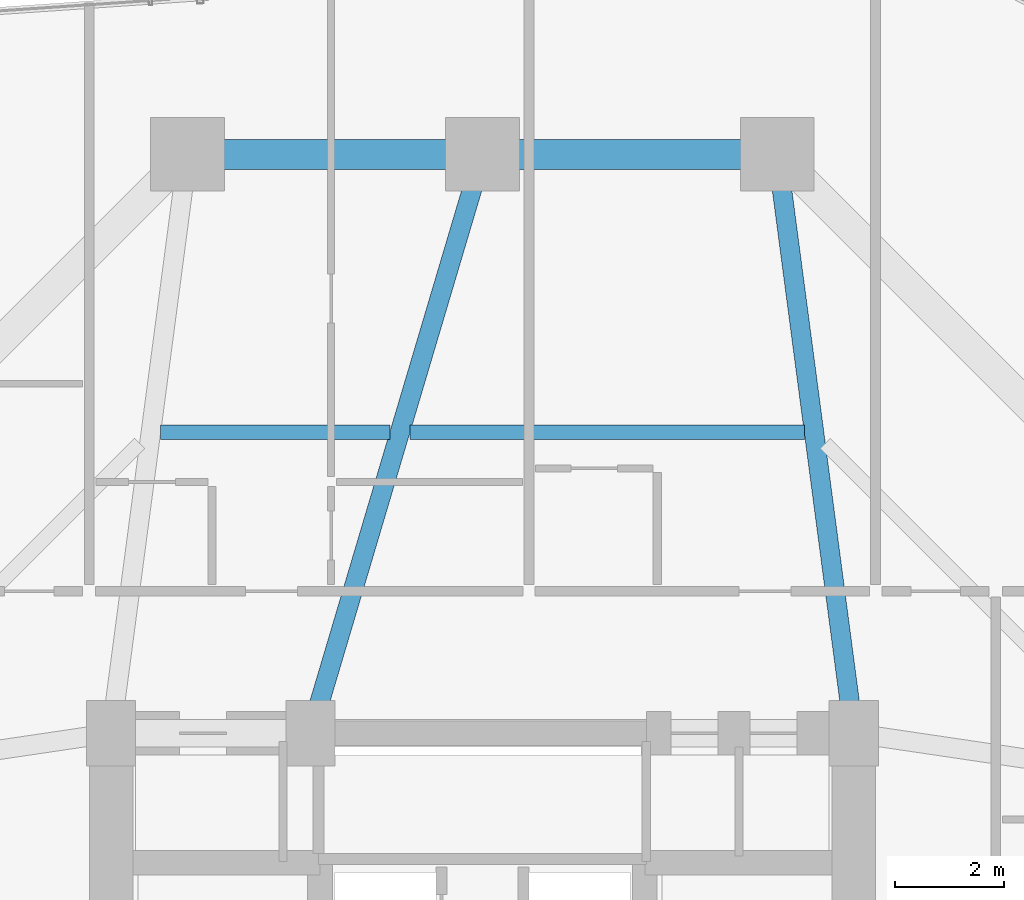
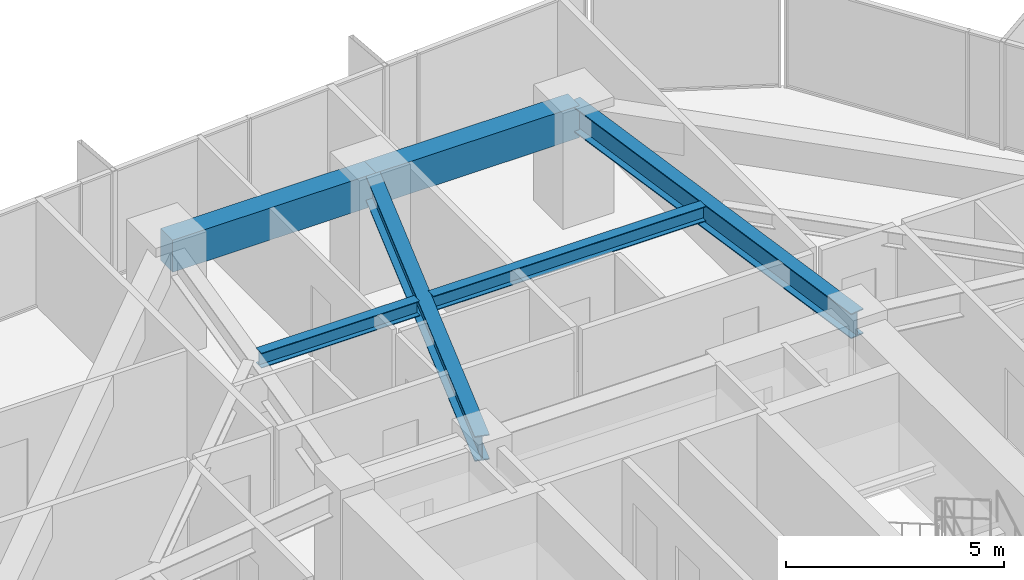
# One storey, part 24 of 37: 6 beams.
"""IFC4 building model written with IfcOpenShell, lengths in metres."""

import ifcopenshell
import ifcopenshell.guid

model = None  # the IFC model being written
_history = None  # IfcOwnerHistory: only IFC2X3 demands one
_inside = {}  # id of a spatial element -> (the spatial element, [elements in it])
_under = {}  # id of a project, library or spatial element -> (it, [spatial elements below it])
_declared = {}  # id of a project -> (the project, [libraries it declares])
_typed = {}  # id of a type object -> (the type object, [elements of that type])
_made_of = {}  # id of a material, layer set ... -> (it, [elements and type objects made of it])


def new_model(schema):
    """Start an empty IFC model of exactly this schema.

    Asked for "IFC4X3", IfcOpenShell would pick the latest addendum, in which some entities
    have other attributes; the version numbers below select the first issue.
    IFC2X3 requires an IfcOwnerHistory on every rooted entity: one is made here for all.
    """
    global model, _history
    if schema == "IFC4X3":
        model = ifcopenshell.file(schema_version=(4, 3, 0, 0))
    else:
        model = ifcopenshell.file(schema=schema)
    _inside.clear()
    _under.clear()
    _declared.clear()
    _typed.clear()
    _made_of.clear()
    _history = None
    if model.schema == "IFC2X3":
        org = make("IfcOrganization", Name="unknown")
        user = make(
            "IfcPersonAndOrganization",
            ThePerson=make("IfcPerson", FamilyName="unknown"),
            TheOrganization=org,
        )
        app = make(
            "IfcApplication",
            ApplicationDeveloper=org,
            Version="unknown",
            ApplicationFullName="unknown",
            ApplicationIdentifier="unknown",
        )
        _history = make(
            "IfcOwnerHistory",
            OwningUser=user,
            OwningApplication=app,
            ChangeAction="ADDED",
            CreationDate=0,
        )
    return model


def make(cls, **values):
    """One entity of the class cls with the attributes given. An attribute that is None is left unset."""
    return model.create_entity(
        cls, **{name: value for name, value in values.items() if value is not None}
    )


def rooted(cls, **values):
    """An entity with a GlobalId (a new one), such as an element, a storey or a relation."""
    return make(cls, GlobalId=ifcopenshell.guid.new(), OwnerHistory=_history, **values)


def si_unit(unit_type, name, prefix=None):
    """IfcSIUnit, for example si_unit("LENGTHUNIT", "METRE", prefix="MILLI")."""
    return make("IfcSIUnit", UnitType=unit_type, Prefix=prefix, Name=name)


def assignment(units):
    """IfcUnitAssignment: the units of a project."""
    return None if units is None else make("IfcUnitAssignment", Units=units)


def point(xyz):
    """IfcCartesianPoint."""
    return None if xyz is None else make("IfcCartesianPoint", Coordinates=xyz)


def direction(xyz):
    """IfcDirection."""
    return None if xyz is None else make("IfcDirection", DirectionRatios=xyz)


def frame(location, z_axis=None, x_axis=None):
    """IfcAxis2Placement3D, a coordinate frame: its origin and axes. An axis left out is left unset."""
    return make(
        "IfcAxis2Placement3D",
        Location=point(location),
        Axis=direction(z_axis),
        RefDirection=direction(x_axis),
    )


def frame_2d(location, x_axis=None):
    """IfcAxis2Placement2D, a coordinate frame in the plane: its origin and x axis."""
    return make(
        "IfcAxis2Placement2D", Location=point(location), RefDirection=direction(x_axis)
    )


def origin():
    """The frame at (0, 0, 0) with its axes left unset."""
    return frame((0.0, 0.0, 0.0))


def origin_2d():
    """The frame at (0, 0) in the plane with its x axis left unset."""
    return frame_2d((0.0, 0.0))


def place(relative_to, where):
    """IfcLocalPlacement: puts the frame where relative to a parent placement (None: the world)."""
    return make(
        "IfcLocalPlacement", PlacementRelTo=relative_to, RelativePlacement=where
    )


def context(
    kind, dimensions, precision=None, world=None, true_north=None, identifier=None
):
    """IfcGeometricRepresentationContext, for example the 3D "Model" context."""
    return make(
        "IfcGeometricRepresentationContext",
        ContextIdentifier=identifier,
        ContextType=kind,
        CoordinateSpaceDimension=dimensions,
        Precision=precision,
        WorldCoordinateSystem=world,
        TrueNorth=true_north,
    )


def subcontext(parent, identifier, kind, view, scale=None):
    """IfcGeometricRepresentationSubContext, for example "Body" below "Model"."""
    return make(
        "IfcGeometricRepresentationSubContext",
        ContextIdentifier=identifier,
        ContextType=kind,
        ParentContext=parent,
        TargetScale=scale,
        TargetView=view,
    )


def project(units=None, contexts=None):
    """IfcProject with its units and contexts."""
    return rooted(
        "IfcProject",
        Name="project",
        RepresentationContexts=contexts,
        UnitsInContext=assignment(units),
    )


def spatial(cls, under=None, at=None, **own):
    """A site, building, storey or space (cls), placed at a placement, below another one or the project."""
    s = rooted(cls, ObjectPlacement=at, **own)
    if under is not None:
        _under.setdefault(under.id(), (under, []))[1].append(s)
    return s


def profile(cls, at=None, kind="AREA", **sizes):
    """A parametric profile (cls). Its sizes go by their IFC names, for example OverallWidth=200.0."""
    return make(cls, ProfileType=kind, Position=at, **sizes)


def rectangle(**sizes):
    """IfcRectangleProfileDef."""
    return profile("IfcRectangleProfileDef", **sizes)


def i_section(**sizes):
    """IfcIShapeProfileDef."""
    return profile("IfcIShapeProfileDef", **sizes)


def extrude(swept, where, along, depth):
    """IfcExtrudedAreaSolid: the profile swept, set in the frame where, extruded along a direction by depth."""
    return make(
        "IfcExtrudedAreaSolid",
        SweptArea=swept,
        Position=where,
        ExtrudedDirection=direction(along),
        Depth=depth,
    )


def shape(context_of_items, identifier, shape_type, items):
    """IfcShapeRepresentation: the items that make up one representation, for example the "Body"."""
    return make(
        "IfcShapeRepresentation",
        ContextOfItems=context_of_items,
        RepresentationIdentifier=identifier,
        RepresentationType=shape_type,
        Items=items,
    )


def material(Name=None, Category=None):
    """IfcMaterial."""
    return make("IfcMaterial", Name=Name, Category=Category)


def material_profile(
    of_material, cross_section, Name=None, Category=None, Priority=None
):
    """IfcMaterialProfile: a cross section and its material."""
    return make(
        "IfcMaterialProfile",
        Name=Name,
        Material=of_material,
        Profile=cross_section,
        Priority=Priority,
        Category=Category,
    )


def profile_set(profiles, Name=None, composite=None):
    """IfcMaterialProfileSet."""
    return make(
        "IfcMaterialProfileSet",
        Name=Name,
        MaterialProfiles=profiles,
        CompositeProfile=composite,
    )


def made_of(thing, what):
    """Note that an element or type object is made of a material, layer set ...; save() writes the relation."""
    if what is not None:
        _made_of.setdefault(what.id(), (what, []))[1].append(thing)
    return thing


def type_object(cls, material=None, **own):
    """A type object (cls), such as IfcWallType, which elements share."""
    return made_of(rooted(cls, **own), material)


def element(
    cls,
    number,
    at=None,
    inside=None,
    cuts=None,
    type_object=None,
    material=None,
    context=None,
    identifier="Body",
    shape_type=None,
    held_by="IfcProductDefinitionShape",
    body=None,
    shapes=None,
    **own,
):
    """One element of the class cls, such as IfcWall. Its Tag is "e" and its number.

    at: its placement. inside: the storey or other place that contains it. cuts: it is an
    opening in that element (IfcRelVoidsElement). A single representation is given by context,
    identifier, shape_type and body (its items); several are given by shapes. held_by: the class
    of the entity that holds the representations. save() writes the other relations.
    """
    e = rooted(cls, Tag="e%d" % number, ObjectPlacement=at, **own)
    if body is not None:
        shapes = [shape(context, identifier, shape_type, body)]
    if shapes is not None:
        e.Representation = make(held_by, Representations=shapes)
    if inside is not None:
        _inside.setdefault(inside.id(), (inside, []))[1].append(e)
    if cuts is not None:
        rooted(
            "IfcRelVoidsElement", RelatingBuildingElement=cuts, RelatedOpeningElement=e
        )
    if type_object is not None:
        _typed.setdefault(type_object.id(), (type_object, []))[1].append(e)
    return made_of(e, material)


def aggregate(whole, parts):
    """IfcRelAggregates: a whole, such as a stair, and the parts it consists of."""
    return rooted("IfcRelAggregates", RelatingObject=whole, RelatedObjects=parts)


def save(model, path):
    """Write the relations noted so far, then the file.

    IfcRelAggregates (storeys below a building ...), IfcRelContainedInSpatialStructure (elements
    in a storey), IfcRelDefinesByType, IfcRelAssociatesMaterial and IfcRelDeclares: one each for
    every whole, place, type object, material and project.
    """
    for whole, parts in _under.values():
        aggregate(whole, parts)
    for where, things in _inside.values():
        rooted(
            "IfcRelContainedInSpatialStructure",
            RelatedElements=things,
            RelatingStructure=where,
        )
    for kind, things in _typed.values():
        rooted("IfcRelDefinesByType", RelatedObjects=things, RelatingType=kind)
    for what, things in _made_of.values():
        rooted("IfcRelAssociatesMaterial", RelatedObjects=things, RelatingMaterial=what)
    for by, libraries in _declared.values():
        rooted("IfcRelDeclares", RelatingContext=by, RelatedDefinitions=libraries)
    model.write(path)


model = new_model("IFC4")

# Units and contexts
model_context = context("Model", 3, precision=1e-05, world=origin(), true_north=direction((0.0, 1.0)))
body_context = subcontext(model_context, "Body", "Model", "MODEL_VIEW")
ifc_project = project(units=[si_unit("LENGTHUNIT", "METRE"), si_unit("AREAUNIT", "SQUARE_METRE"), si_unit("VOLUMEUNIT", "CUBIC_METRE"), si_unit("PLANEANGLEUNIT", "RADIAN"), si_unit("MASSUNIT", "GRAM", prefix="KILO")], contexts=[model_context])

# Site, building, storey
site_placement = place(None, origin())
site = spatial("IfcSite", under=ifc_project, at=site_placement, CompositionType="ELEMENT")
building_placement = place(site_placement, origin())
building = spatial("IfcBuilding", under=site, at=building_placement, Name="Veraguas Prism Commons", CompositionType="ELEMENT")
storey_placement = place(building_placement, frame((0.0, 0.0, 37.050048828125)))
storey = spatial("IfcBuildingStorey", under=building, at=storey_placement, Name="L09", CompositionType="ELEMENT", Elevation=37.050048828125)

# Beams
ifc_material_1 = material(Name="Steel ASTM A992 Grade 50", Category="steel")
ifc_material_profile_1 = material_profile(ifc_material_1, i_section(OverallWidth=0.260986328125, OverallDepth=0.419921875, WebThickness=0.01171875, FlangeThickness=0.019287109375, at=origin_2d()), Name="W410X114")
ifc_profile_set_1 = profile_set([ifc_material_profile_1], Name="Steel ASTM A992 Grade 50")
beam_type_1 = type_object("IfcBeamType", Name="Lower Floor Joist W410x114", PredefinedType="JOIST", material=ifc_profile_set_1)
beam_1_placement = place(storey_placement, frame((29.89453125, 36.511962890625, 2.7900390625), z_axis=(-1.0, 0.0, 0.0), x_axis=(0.0, -1.0, 0.0)))
element("IfcBeam", 1, at=beam_1_placement, inside=storey, type_object=beam_type_1, Name="Composite Floor Joist L09-JS04", PredefinedType="JOIST", context=body_context, shape_type="SweptSolid", body=[
    extrude(i_section(OverallWidth=0.260986328125, OverallDepth=0.419921875, WebThickness=0.01171875, FlangeThickness=0.019287109375, at=origin_2d()), origin(), (0.0, 0.0, 1.0), 7.222900390625),
])
beam_2_placement = place(storey_placement, frame((22.304443359375, 36.511962890625, 2.7900390625), z_axis=(-1.0, 0.0, 0.0), x_axis=(0.0, -1.0, 0.0)))
element("IfcBeam", 2, at=beam_2_placement, inside=storey, type_object=beam_type_1, Name="Composite Floor Joist L09-JS05", PredefinedType="JOIST", context=body_context, shape_type="SweptSolid", body=[
    extrude(i_section(OverallWidth=0.260986328125, OverallDepth=0.419921875, WebThickness=0.01171875, FlangeThickness=0.019287109375, at=origin_2d()), origin(), (0.0, 0.0, 1.0), 4.198974609375),
])
ifc_material_2 = material(Name="Concrete C50/60", Category="concrete")
ifc_material_profile_2 = material_profile(ifc_material_2, rectangle(XDim=0.550048828125, YDim=0.89990234375, at=origin_2d()), Name="RC550X900")
ifc_profile_set_2 = profile_set([ifc_material_profile_2], Name="Concrete C50/60")
beam_type_2 = type_object("IfcBeamType", Name="Perimeter Spandrel Lower RC 550x900", PredefinedType="SPANDREL", material=ifc_profile_set_2)
for number, where, z_axis, x_axis, name in (
    (3, (29.39990234375, 41.60009765625, 2.550048828125), (-1.0, 0.0, 0.0), (0.0, -1.0, 0.0), "Perimeter Spandrel Beam L09-SP04"),
    (4, (24.0, 41.60009765625, 2.550048828125), (-1.0, 0.0, 0.0), (0.0, -1.0, 0.0), "Perimeter Spandrel Beam L09-SP05"),
):
    element("IfcBeam", number, at=place(storey_placement, frame(where, z_axis=z_axis, x_axis=x_axis)), inside=storey, type_object=beam_type_2, Name=name, PredefinedType="SPANDREL", context=body_context, shape_type="SweptSolid", body=[
        extrude(rectangle(XDim=0.550048828125, YDim=0.89990234375, at=origin_2d()), origin(), (0.0, 0.0, 1.0), 5.39990234375),
    ])
ifc_material_profile_3 = material_profile(ifc_material_1, i_section(OverallWidth=0.35595703125, OverallDepth=0.700927734375, WebThickness=0.016845703125, FlangeThickness=0.02734375, at=origin_2d()), Name="W690X240")
ifc_profile_set_3 = profile_set([ifc_material_profile_3], Name="Steel ASTM A992 Grade 50")
beam_type_3 = type_object("IfcBeamType", Name="Zone 1 Radial Girder W690x240", PredefinedType="BEAM", material=ifc_profile_set_3)
beam_3_placement = place(storey_placement, frame((29.39990234375, 41.60009765625, 2.6494140625), z_axis=(0.130950648891, -0.991388888154, 0.0), x_axis=(0.991388888154, 0.130950648891, 0.0)))
element("IfcBeam", 5, at=beam_3_placement, inside=storey, type_object=beam_type_3, Name="Radial Floor Girder L09-RD04", PredefinedType="BEAM", context=body_context, shape_type="SweptSolid", body=[
    extrude(i_section(OverallWidth=0.35595703125, OverallDepth=0.700927734375, WebThickness=0.016845703125, FlangeThickness=0.02734375, at=origin_2d()), origin(), (0.0, 0.0, 1.0), 10.692138671875),
])
beam_4_placement = place(storey_placement, frame((24.0, 41.60009765625, 2.6494140625), z_axis=(-0.28484745997, -0.958572858237, 0.0), x_axis=(0.958572858237, -0.28484745997, 0.0)))
element("IfcBeam", 6, at=beam_4_placement, inside=storey, type_object=beam_type_3, Name="Radial Floor Girder L09-RD05", PredefinedType="BEAM", context=body_context, shape_type="SweptSolid", body=[
    extrude(i_section(OverallWidth=0.35595703125, OverallDepth=0.700927734375, WebThickness=0.016845703125, FlangeThickness=0.02734375, at=origin_2d()), origin(), (0.0, 0.0, 1.0), 11.05810546875),
])

save(model, "model.ifc")
